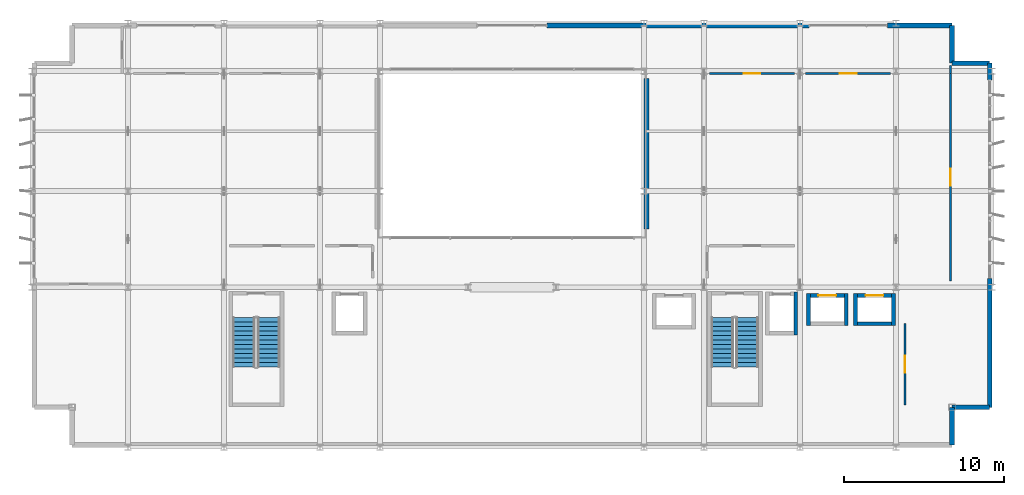
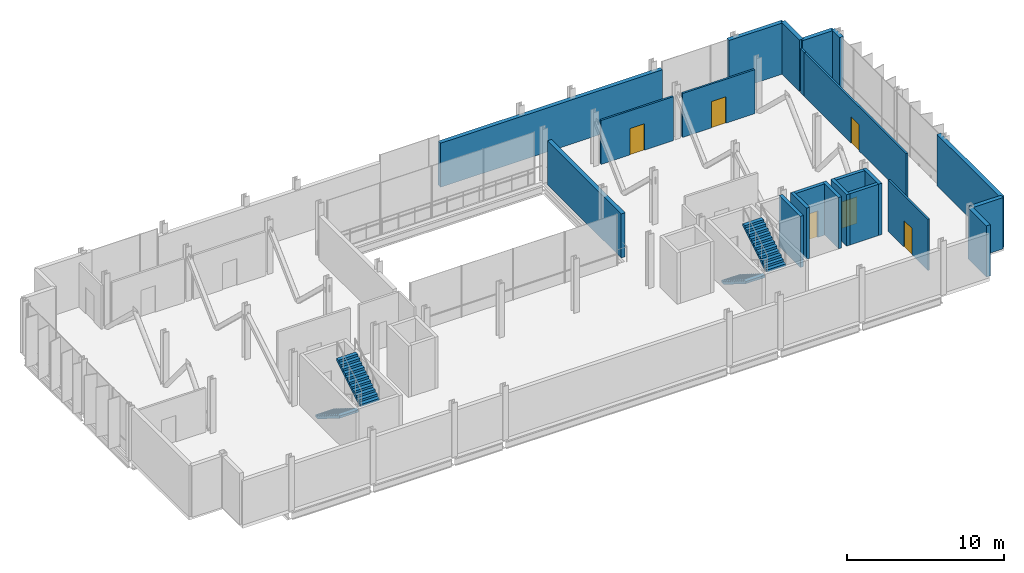
# One storey, part 28 of 33: 22 walls, 6 doors, 4 stair flights, 6 openings, 2 elements without a shape of their own.
"""IFC4 building model written with IfcOpenShell, lengths in metres."""

from ifc_helpers import new_model, si_unit, direction, frame, frame_2d, origin, place, context, subcontext, project, spatial, polyline, rectangle, outline, extrude, material, layer, layer_set, type_object, element, fill, aggregate, save


model = new_model("IFC4")

# Units and contexts
model_context = context("Model", 3, precision=1e-05, world=origin(), true_north=direction((0.0, 1.0)))
body_context = subcontext(model_context, "Body", "Model", "MODEL_VIEW")
ifc_project = project(units=[si_unit("LENGTHUNIT", "METRE"), si_unit("AREAUNIT", "SQUARE_METRE"), si_unit("VOLUMEUNIT", "CUBIC_METRE"), si_unit("PLANEANGLEUNIT", "RADIAN"), si_unit("MASSUNIT", "GRAM", prefix="KILO")], contexts=[model_context])

# Site, building, storey
site_placement = place(None, origin())
site = spatial("IfcSite", under=ifc_project, at=site_placement, CompositionType="ELEMENT")
building_placement = place(site_placement, origin())
building = spatial("IfcBuilding", under=site, at=building_placement, Name="Brevholm Reach", CompositionType="ELEMENT")
storey_placement = place(building_placement, frame((0.0, 0.0, 179.0)))
storey = spatial("IfcBuildingStorey", under=building, at=storey_placement, Name="L54", CompositionType="ELEMENT", Elevation=179.0)

# Walls
ifc_material_1 = material(Name="Concrete C45/55", Category="concrete")
ifc_layer_1 = layer(ifc_material_1, 0.239990234375)
ifc_layer_set_1 = layer_set([ifc_layer_1], Name="Concrete C45/55")
wall_type_1 = type_object("IfcWallType", Name="WAL-COR-240", PredefinedType="SHEAR", material=ifc_layer_set_1)
wall_1_placement = place(storey_placement, frame((47.72998046875, 7.0, 0.0), z_axis=(0.0, 0.0, 1.0), x_axis=(0.0, 1.0, 0.0)))
element("IfcWall", 1, at=wall_1_placement, inside=storey, type_object=wall_type_1, Name="L54 Lift FFL-2 Shaft Wall E", PredefinedType="SHEAR", context=body_context, shape_type="SweptSolid", body=[
    extrude(rectangle(XDim=2.699951171875, YDim=0.239990234375, at=frame_2d((1.35009765625, 0.0))), origin(), (0.0, 0.0, 1.0), 3.989990234375),
])
for number, where, z_axis, x_axis, name in (
    (2, (48.52001953125, 7.60009765625, 0.0), (0.0, 0.0, 1.0), (0.0, 1.0, 0.0), "L54 Lift PL-H1 Shaft Wall W"),
    (3, (50.8798828125, 7.60009765625, 0.0), (0.0, 0.0, 1.0), (0.0, 1.0, 0.0), "L54 Lift PL-H1 Shaft Wall E"),
):
    element("IfcWall", number, at=place(storey_placement, frame(where, z_axis=z_axis, x_axis=x_axis)), inside=storey, type_object=wall_type_1, Name=name, PredefinedType="SHEAR", context=body_context, shape_type="SweptSolid", body=[
        extrude(rectangle(XDim=2.0, YDim=0.239990234375, at=frame_2d((1.0, 0.0))), origin(), (0.0, 0.0, 1.0), 3.989990234375),
    ])

# Wall, opening, door
wall_2_placement = place(storey_placement, frame((48.639892578125, 9.47998046875, 0.0), z_axis=(0.0, 0.0, 1.0), x_axis=(1.0, 0.0, 0.0)))
wall_2 = element("IfcWall", 4, at=wall_2_placement, inside=storey, type_object=wall_type_1, Name="L54 Lift PL-H1 Shaft Wall N", PredefinedType="SHEAR", context=body_context, shape_type="SweptSolid", body=[
    extrude(rectangle(XDim=2.1201171875, YDim=0.239990234375, at=frame_2d((1.06005859375, 0.0))), origin(), (0.0, 0.0, 1.0), 3.989990234375),
])
opening_1_placement = place(wall_2_placement, frame((0.510009765625, 0.0, 0.0)))
opening_1 = element("IfcOpeningElement", 5, at=opening_1_placement, cuts=wall_2, Name="Opening LD-PL-H1", PredefinedType="OPENING", context=body_context, shape_type="SweptSolid", body=[
    extrude(rectangle(XDim=1.10009765625, YDim=2.06005859375, at=frame_2d((0.550048828125, 1.030029296875))), frame((0.0, 0.1298828125, 0.0), z_axis=(0.0, -1.0, 0.0), x_axis=(1.0, 0.0, 0.0)), (0.0, 0.0, 1.0), 0.260009765625),
])
ifc_material_2 = material(Name="Brushed Stainless Steel Fire-Rated Sliding Lift Door", Category="steel")
door_type_1 = type_object("IfcDoorType", Name="DOR-LFT-1100", OperationType="NOTDEFINED", PredefinedType="DOOR", material=ifc_material_2)
door_1_placement = place(opening_1_placement, origin())
door_1 = element("IfcDoor", 6, at=door_1_placement, inside=storey, type_object=door_type_1, Name="L54 Lift PL-H1 Sliding Landing Door", OperationType="SLIDING_TO_LEFT", OverallHeight=2.06005859375, OverallWidth=1.10009765625, PredefinedType="DOOR", context=body_context, shape_type="SweptSolid", body=[
    extrude(rectangle(XDim=1.10009765625, YDim=2.06005859375, at=frame_2d((0.550048828125, 1.030029296875))), frame((0.0, 0.02490234375, 0.0), z_axis=(0.0, -1.0, 0.0), x_axis=(1.0, 0.0, 0.0)), (0.0, 0.0, 1.0), 0.050048828125),
])
fill(opening_1, door_1)

# Walls
for number, where, z_axis, x_axis, name in (
    (7, (51.469970703125, 7.60009765625, 0.0), (0.0, 0.0, 1.0), (0.0, 1.0, 0.0), "L54 Lift PL-H2 Shaft Wall W"),
    (8, (53.830078125, 7.60009765625, 0.0), (0.0, 0.0, 1.0), (0.0, 1.0, 0.0), "L54 Lift PL-H2 Shaft Wall E"),
):
    element("IfcWall", number, at=place(storey_placement, frame(where, z_axis=z_axis, x_axis=x_axis)), inside=storey, type_object=wall_type_1, Name=name, PredefinedType="SHEAR", context=body_context, shape_type="SweptSolid", body=[
        extrude(rectangle(XDim=2.0, YDim=0.239990234375, at=frame_2d((1.0, 0.0))), origin(), (0.0, 0.0, 1.0), 3.989990234375),
    ])
wall_3_placement = place(storey_placement, frame((51.590087890625, 7.719970703125, 0.0), z_axis=(0.0, 0.0, 1.0), x_axis=(1.0, 0.0, 0.0)))
element("IfcWall", 9, at=wall_3_placement, inside=storey, type_object=wall_type_1, Name="L54 Lift PL-H2 Shaft Wall S", PredefinedType="SHEAR", context=body_context, shape_type="SweptSolid", body=[
    extrude(rectangle(XDim=2.119873046875, YDim=0.239990234375, at=frame_2d((1.06005859375, 0.0))), origin(), (0.0, 0.0, 1.0), 3.989990234375),
])

# Wall, opening, door
wall_4_placement = place(storey_placement, frame((51.590087890625, 9.47998046875, 0.0), z_axis=(0.0, 0.0, 1.0), x_axis=(1.0, 0.0, 0.0)))
wall_4 = element("IfcWall", 10, at=wall_4_placement, inside=storey, type_object=wall_type_1, Name="L54 Lift PL-H2 Shaft Wall N", PredefinedType="SHEAR", context=body_context, shape_type="SweptSolid", body=[
    extrude(rectangle(XDim=2.119873046875, YDim=0.239990234375, at=frame_2d((1.06005859375, 0.0))), origin(), (0.0, 0.0, 1.0), 3.989990234375),
])
opening_2_placement = place(wall_4_placement, frame((0.510009765625, 0.0, 0.0)))
opening_2 = element("IfcOpeningElement", 11, at=opening_2_placement, cuts=wall_4, Name="Opening LD-PL-H2", PredefinedType="OPENING", context=body_context, shape_type="SweptSolid", body=[
    extrude(rectangle(XDim=1.10009765625, YDim=2.06005859375, at=frame_2d((0.550048828125, 1.030029296875))), frame((0.0, 0.1298828125, 0.0), z_axis=(0.0, -1.0, 0.0), x_axis=(1.0, 0.0, 0.0)), (0.0, 0.0, 1.0), 0.260009765625),
])
door_2_placement = place(opening_2_placement, origin())
door_2 = element("IfcDoor", 12, at=door_2_placement, inside=storey, type_object=door_type_1, Name="L54 Lift PL-H2 Sliding Landing Door", OperationType="SLIDING_TO_RIGHT", OverallHeight=2.06005859375, OverallWidth=1.10009765625, PredefinedType="DOOR", context=body_context, shape_type="SweptSolid", body=[
    extrude(rectangle(XDim=1.10009765625, YDim=2.06005859375, at=frame_2d((0.550048828125, 1.030029296875))), frame((0.0, 0.02490234375, 0.0), z_axis=(0.0, -1.0, 0.0), x_axis=(1.0, 0.0, 0.0)), (0.0, 0.0, 1.0), 0.050048828125),
])
fill(opening_2, door_2)

# Walls
ifc_material_3 = material(Name="Concrete C40/50", Category="concrete")
ifc_layer_2 = layer(ifc_material_3, 0.300048828125)
ifc_layer_set_2 = layer_set([ifc_layer_2], Name="Concrete C40/50")
wall_type_2 = type_object("IfcWallType", Name="WAL-EXT-300", PredefinedType="STANDARD", material=ifc_layer_set_2)
for number, where, z_axis, x_axis, name in (
    (13, (57.5, 0.14990234375, 0.0), (0.0, 0.0, 1.0), (0.0, 1.0, 0.0), "L54 Facade Wall WAL-L54-CSE1"),
    (14, (57.5, 2.5, 0.0), (0.0, 0.0, 1.0), (1.0, 0.0, 0.0), "L54 Facade Wall WAL-L54-CSE2"),
    (15, (59.85009765625, 24.0, 0.0), (0.0, 0.0, 1.0), (-1.0, 0.0, 0.0), "L54 Facade Wall WAL-L54-CNE1"),
    (16, (57.5, 24.0, 0.0), (0.0, 0.0, 1.0), (0.0, 1.0, 0.0), "L54 Facade Wall WAL-L54-CNE2"),
):
    element("IfcWall", number, at=place(storey_placement, frame(where, z_axis=z_axis, x_axis=x_axis)), inside=storey, type_object=wall_type_2, Name=name, PredefinedType="STANDARD", context=body_context, shape_type="SweptSolid", body=[
        extrude(rectangle(XDim=2.35009765625, YDim=0.300048828125, at=frame_2d((1.175048828125, 0.0))), origin(), (0.0, 0.0, 1.0), 3.989990234375),
    ])
wall_5_placement = place(storey_placement, frame((59.85009765625, 2.5, 0.0), z_axis=(0.0, 0.0, 1.0), x_axis=(0.0, 1.0, 0.0)))
element("IfcWall", 17, at=wall_5_placement, inside=storey, type_object=wall_type_2, Name="L54 Facade Wall WAL-L54-E-S", PredefinedType="STANDARD", context=body_context, shape_type="SweptSolid", body=[
    extrude(rectangle(XDim=8.050048828125, YDim=0.300048828125, at=frame_2d((4.02490234375, 0.0))), origin(), (0.0, 0.0, 1.0), 3.989990234375),
])
wall_6_placement = place(storey_placement, frame((59.85009765625, 22.949951171875, 0.0), z_axis=(0.0, 0.0, 1.0), x_axis=(0.0, 1.0, 0.0)))
element("IfcWall", 18, at=wall_6_placement, inside=storey, type_object=wall_type_2, Name="L54 Facade Wall WAL-L54-E-N", PredefinedType="STANDARD", context=body_context, shape_type="SweptSolid", body=[
    extrude(rectangle(XDim=1.050048828125, YDim=0.300048828125, at=frame_2d((0.52490234375, 0.0))), origin(), (0.0, 0.0, 1.0), 3.989990234375),
])
wall_7_placement = place(storey_placement, frame((53.449951171875, 26.35009765625, 0.0), z_axis=(0.0, 0.0, 1.0), x_axis=(1.0, 0.0, 0.0)))
element("IfcWall", 19, at=wall_7_placement, inside=storey, type_object=wall_type_2, Name="L54 Facade Wall WAL-L54-NP-E0", PredefinedType="STANDARD", context=body_context, shape_type="SweptSolid", body=[
    extrude(rectangle(XDim=4.050048828125, YDim=0.300048828125, at=frame_2d((2.02490234375, 0.0))), origin(), (0.0, 0.0, 1.0), 3.989990234375),
])
wall_8_placement = place(storey_placement, frame((32.199951171875, 26.35009765625, 0.0), z_axis=(0.0, 0.0, 1.0), x_axis=(1.0, 0.0, 0.0)))
element("IfcWall", 20, at=wall_8_placement, inside=storey, type_object=wall_type_2, Name="L54 Facade Wall WAL-L54-NP-ER", PredefinedType="STANDARD", context=body_context, shape_type="SweptSolid", body=[
    extrude(rectangle(XDim=16.35009765625, YDim=0.300048828125, at=frame_2d((8.175048828125, 0.0))), origin(), (0.0, 0.0, 1.0), 3.431884765625),
])
wall_9_placement = place(storey_placement, frame((38.39990234375, 13.64990234375, 0.0), z_axis=(0.0, 0.0, 1.0), x_axis=(0.0, 1.0, 0.0)))
element("IfcWall", 21, at=wall_9_placement, inside=storey, type_object=wall_type_2, Name="L54 Facade Wall WAL-L54-AT-E", PredefinedType="STANDARD", context=body_context, shape_type="SweptSolid", body=[
    extrude(rectangle(XDim=9.400146484375, YDim=0.300048828125, at=frame_2d((4.7001953125, 0.0))), origin(), (0.0, 0.0, 1.0), 3.425537109375),
])

# Wall, opening, door
ifc_material_4 = material(Name="Twin-Stud Acoustic Fire-Rated Gypsum Partition 140 mm", Category="gypsum")
ifc_layer_3 = layer(ifc_material_4, 0.139892578125)
ifc_layer_set_3 = layer_set([ifc_layer_3], Name="Twin-Stud Acoustic Fire-Rated Gypsum Partition 140 mm")
wall_type_3 = type_object("IfcWallType", Name="WAL-PRT-140", PredefinedType="PARTITIONING", material=ifc_layer_set_3)
wall_10_placement = place(storey_placement, frame((42.338623046875, 23.35009765625, 0.0), z_axis=(0.0, 0.0, 1.0), x_axis=(1.0, 0.0, 0.0)))
wall_10 = element("IfcWall", 22, at=wall_10_placement, inside=storey, type_object=wall_type_3, Name="L54 Internal Partition 009", PredefinedType="PARTITIONING", context=body_context, shape_type="SweptSolid", body=[
    extrude(rectangle(XDim=5.32275390625, YDim=0.139892578125, at=frame_2d((2.661376953125, 0.0))), origin(), (0.0, 0.0, 1.0), 3.425537109375),
])
opening_3_placement = place(wall_10_placement, frame((2.13623046875, 0.0, 0.0)))
opening_3 = element("IfcOpeningElement", 23, at=opening_3_placement, cuts=wall_10, Name="Opening FD-01", PredefinedType="OPENING", context=body_context, shape_type="SweptSolid", body=[
    extrude(rectangle(XDim=1.050048828125, YDim=2.06005859375, at=frame_2d((0.52490234375, 1.030029296875))), frame((0.0, 0.079833984375, 0.0), z_axis=(0.0, -1.0, 0.0), x_axis=(1.0, 0.0, 0.0)), (0.0, 0.0, 1.0), 0.159912109375),
])
ifc_material_5 = material(Name="Hardwood-Lipped Steel-Core Fire and Smoke Door", Category="steel")
door_type_2 = type_object("IfcDoorType", Name="DOR-INT-FD60S", OperationType="NOTDEFINED", PredefinedType="DOOR", material=ifc_material_5)
door_3_placement = place(opening_3_placement, origin())
door_3 = element("IfcDoor", 24, at=door_3_placement, inside=storey, type_object=door_type_2, Name="L54 Internal Door 009", OperationType="SINGLE_SWING_LEFT", OverallHeight=2.06005859375, OverallWidth=1.050048828125, PredefinedType="DOOR", context=body_context, shape_type="SweptSolid", body=[
    extrude(rectangle(XDim=1.050048828125, YDim=2.06005859375, at=frame_2d((0.52490234375, 1.030029296875))), frame((0.0, 0.02490234375, 0.0), z_axis=(0.0, -1.0, 0.0), x_axis=(1.0, 0.0, 0.0)), (0.0, 0.0, 1.0), 0.050048828125),
])
fill(opening_3, door_3)

wall_11_placement = place(storey_placement, frame((48.338623046875, 23.35009765625, 0.0), z_axis=(0.0, 0.0, 1.0), x_axis=(1.0, 0.0, 0.0)))
wall_11 = element("IfcWall", 25, at=wall_11_placement, inside=storey, type_object=wall_type_3, Name="L54 Internal Partition 010", PredefinedType="PARTITIONING", context=body_context, shape_type="SweptSolid", body=[
    extrude(rectangle(XDim=5.32275390625, YDim=0.139892578125, at=frame_2d((2.661376953125, 0.0))), origin(), (0.0, 0.0, 1.0), 3.425537109375),
])
opening_4_placement = place(wall_11_placement, frame((2.13623046875, 0.0, 0.0)))
opening_4 = element("IfcOpeningElement", 26, at=opening_4_placement, cuts=wall_11, Name="Opening FD-01", PredefinedType="OPENING", context=body_context, shape_type="SweptSolid", body=[
    extrude(rectangle(XDim=1.050048828125, YDim=2.06005859375, at=frame_2d((0.52490234375, 1.030029296875))), frame((0.0, 0.079833984375, 0.0), z_axis=(0.0, -1.0, 0.0), x_axis=(1.0, 0.0, 0.0)), (0.0, 0.0, 1.0), 0.159912109375),
])
door_4_placement = place(opening_4_placement, origin())
door_4 = element("IfcDoor", 27, at=door_4_placement, inside=storey, type_object=door_type_2, Name="L54 Internal Door 010", OperationType="SINGLE_SWING_RIGHT", OverallHeight=2.06005859375, OverallWidth=1.050048828125, PredefinedType="DOOR", context=body_context, shape_type="SweptSolid", body=[
    extrude(rectangle(XDim=1.050048828125, YDim=2.06005859375, at=frame_2d((0.52490234375, 1.030029296875))), frame((0.0, 0.02490234375, 0.0), z_axis=(0.0, -1.0, 0.0), x_axis=(1.0, 0.0, 0.0)), (0.0, 0.0, 1.0), 0.050048828125),
])
fill(opening_4, door_4)

# Wall
wall_12_placement = place(storey_placement, frame((57.39990234375, 23.35009765625, 0.0), z_axis=(0.0, 0.0, 1.0), x_axis=(0.0, 1.0, 0.0)))
element("IfcWall", 28, at=wall_12_placement, inside=storey, type_object=wall_type_3, Name="L54 Internal Partition 011", PredefinedType="PARTITIONING", context=body_context, shape_type="SweptSolid", body=[
    extrude(rectangle(XDim=0.500244140625, YDim=0.139892578125, at=frame_2d((0.25, 0.0))), origin(), (0.0, 0.0, 1.0), 3.425537109375),
])

# Wall, opening, door
wall_13_placement = place(storey_placement, frame((57.39990234375, 10.388671875, 0.0), z_axis=(0.0, 0.0, 1.0), x_axis=(0.0, 1.0, 0.0)))
wall_13 = element("IfcWall", 29, at=wall_13_placement, inside=storey, type_object=wall_type_3, Name="L54 Internal Partition 012", PredefinedType="PARTITIONING", context=body_context, shape_type="SweptSolid", body=[
    extrude(rectangle(XDim=12.957275390625, YDim=0.139892578125, at=frame_2d((6.478515625, 0.0))), origin(), (0.0, 0.0, 1.0), 3.425537109375),
])
opening_5_placement = place(wall_13_placement, frame((5.95361328125, 0.0, 0.0)))
opening_5 = element("IfcOpeningElement", 30, at=opening_5_placement, cuts=wall_13, Name="Opening FD-01", PredefinedType="OPENING", context=body_context, shape_type="SweptSolid", body=[
    extrude(rectangle(XDim=1.050048828125, YDim=2.06005859375, at=frame_2d((0.52490234375, 1.030029296875))), frame((0.0, 0.079833984375, 0.0), z_axis=(0.0, -1.0, 0.0), x_axis=(1.0, 0.0, 0.0)), (0.0, 0.0, 1.0), 0.159912109375),
])
door_5_placement = place(opening_5_placement, origin())
door_5 = element("IfcDoor", 31, at=door_5_placement, inside=storey, type_object=door_type_2, Name="L54 Internal Door 011", OperationType="SINGLE_SWING_LEFT", OverallHeight=2.06005859375, OverallWidth=1.050048828125, PredefinedType="DOOR", context=body_context, shape_type="SweptSolid", body=[
    extrude(rectangle(XDim=1.050048828125, YDim=2.06005859375, at=frame_2d((0.52490234375, 1.030029296875))), frame((0.0, 0.02490234375, 0.0), z_axis=(0.0, -1.0, 0.0), x_axis=(1.0, 0.0, 0.0)), (0.0, 0.0, 1.0), 0.050048828125),
])
fill(opening_5, door_5)

wall_14_placement = place(storey_placement, frame((54.550048828125, 2.64990234375, 0.0), z_axis=(0.0, 0.0, 1.0), x_axis=(0.0, 1.0, 0.0)))
wall_14 = element("IfcWall", 32, at=wall_14_placement, inside=storey, type_object=wall_type_3, Name="L54 Internal Partition 013", PredefinedType="PARTITIONING", context=body_context, shape_type="SweptSolid", body=[
    extrude(rectangle(XDim=5.077392578125, YDim=0.139892578125, at=frame_2d((2.53857421875, 0.0))), origin(), (0.0, 0.0, 1.0), 3.989990234375),
])
opening_6_placement = place(wall_14_placement, frame((2.013671875, 0.0, 0.0)))
opening_6 = element("IfcOpeningElement", 33, at=opening_6_placement, cuts=wall_14, Name="Opening FD-01", PredefinedType="OPENING", context=body_context, shape_type="SweptSolid", body=[
    extrude(rectangle(XDim=1.050048828125, YDim=2.06005859375, at=frame_2d((0.52490234375, 1.030029296875))), frame((0.0, 0.079833984375, 0.0), z_axis=(0.0, -1.0, 0.0), x_axis=(1.0, 0.0, 0.0)), (0.0, 0.0, 1.0), 0.159912109375),
])
door_6_placement = place(opening_6_placement, origin())
door_6 = element("IfcDoor", 34, at=door_6_placement, inside=storey, type_object=door_type_2, Name="L54 Internal Door 012", OperationType="SINGLE_SWING_RIGHT", OverallHeight=2.06005859375, OverallWidth=1.050048828125, PredefinedType="DOOR", context=body_context, shape_type="SweptSolid", body=[
    extrude(rectangle(XDim=1.050048828125, YDim=2.06005859375, at=frame_2d((0.52490234375, 1.030029296875))), frame((0.0, 0.02490234375, 0.0), z_axis=(0.0, -1.0, 0.0), x_axis=(1.0, 0.0, 0.0)), (0.0, 0.0, 1.0), 0.050048828125),
])
fill(opening_6, door_6)

# Stair, stair flights
ifc_material_6 = material(Name="Precast Concrete C40/50", Category="concrete")
stair_type = type_object("IfcStairType", Name="STR-ESC-1400", PredefinedType="DOUBLE_RETURN_STAIR", material=ifc_material_6)
stair_1_placement = place(storey_placement, origin())
stair_1 = element("IfcStair", 35, at=stair_1_placement, inside=storey, type_object=stair_type, Name="L54 ST-1", PredefinedType="DOUBLE_RETURN_STAIR")
ifc_material_7 = material(Name="Precast Concrete C40/50", Category="concrete")
ifc_layer_4 = layer(ifc_material_7, 0.18505859375)
ifc_layer_set_4 = layer_set([ifc_layer_4], Name="Precast Concrete C40/50")
stair_flight_type = type_object("IfcStairFlightType", Name="STF-PRC-185", PredefinedType="STRAIGHT", material=ifc_layer_set_4)
stair_flight_1_placement = place(storey_placement, frame((13.25, 8.10009765625, 0.0), z_axis=(0.0, 0.0, 1.0), x_axis=(0.0, -1.0, 0.0)))
stair_flight_1 = element("IfcStairFlight", 36, at=stair_flight_1_placement, type_object=stair_flight_type, Name="ST-1 flight 1", NumberOfRisers=12, NumberOfTreads=11, PredefinedType="STRAIGHT", RiserHeight=0.175, TreadLength=0.28, context=body_context, shape_type="SweptSolid", body=[
    extrude(outline(polyline([(0.0, 0.0), (0.0, 0.175048828125), (0.280029296875, 0.175048828125), (0.280029296875, 0.35009765625), (0.56005859375, 0.35009765625), (0.56005859375, 0.52490234375), (0.840087890625, 0.52490234375), (0.840087890625, 0.699951171875), (1.1201171875, 0.699951171875), (1.1201171875, 0.875), (1.39990234375, 0.875), (1.39990234375, 1.050048828125), (1.679931640625, 1.050048828125), (1.679931640625, 1.22509765625), (1.9599609375, 1.22509765625), (1.9599609375, 1.39990234375), (2.239990234375, 1.39990234375), (2.239990234375, 1.574951171875), (2.52001953125, 1.574951171875), (2.52001953125, 1.75), (2.800048828125, 1.75), (2.800048828125, 1.925048828125), (3.080078125, 1.925048828125), (3.080078125, 2.10009765625), (3.080078125, 1.748291015625), (0.28271484375, 0.0), (0.0, 0.0)])), frame((0.0, 0.699951171875, 0.0), z_axis=(0.0, -1.0, 0.0), x_axis=(1.0, 0.0, 0.0)), (0.0, 0.0, 1.0), 1.39990234375),
])
stair_flight_2_placement = place(storey_placement, frame((14.800048828125, 5.02001953125, 2.10009765625), z_axis=(0.0, 0.0, 1.0), x_axis=(0.0, 1.0, 0.0)))
stair_flight_2 = element("IfcStairFlight", 37, at=stair_flight_2_placement, type_object=stair_flight_type, Name="ST-1 flight 2", NumberOfRisers=12, NumberOfTreads=11, PredefinedType="STRAIGHT", RiserHeight=0.175, TreadLength=0.28, context=body_context, shape_type="SweptSolid", body=[
    extrude(outline(polyline([(0.0, 0.0), (0.0, 0.175048828125), (0.280029296875, 0.175048828125), (0.280029296875, 0.35009765625), (0.56005859375, 0.35009765625), (0.56005859375, 0.52490234375), (0.840087890625, 0.52490234375), (0.840087890625, 0.699951171875), (1.1201171875, 0.699951171875), (1.1201171875, 0.875), (1.39990234375, 0.875), (1.39990234375, 1.050048828125), (1.679931640625, 1.050048828125), (1.679931640625, 1.22509765625), (1.9599609375, 1.22509765625), (1.9599609375, 1.39990234375), (2.239990234375, 1.39990234375), (2.239990234375, 1.574951171875), (2.52001953125, 1.574951171875), (2.52001953125, 1.75), (2.800048828125, 1.75), (2.800048828125, 1.925048828125), (3.080078125, 1.925048828125), (3.080078125, 2.10009765625), (3.080078125, 1.748291015625), (0.28271484375, 0.0), (0.0, 0.0)])), frame((0.0, 0.699951171875, 0.0), z_axis=(0.0, -1.0, 0.0), x_axis=(1.0, 0.0, 0.0)), (0.0, 0.0, 1.0), 1.39990234375),
])
aggregate(stair_1, [stair_flight_1, stair_flight_2])

stair_2_placement = place(storey_placement, origin())
stair_2 = element("IfcStair", 38, at=stair_2_placement, inside=storey, type_object=stair_type, Name="L54 ST-2", PredefinedType="DOUBLE_RETURN_STAIR")
stair_flight_3_placement = place(storey_placement, frame((43.14990234375, 8.10009765625, 0.0), z_axis=(0.0, 0.0, 1.0), x_axis=(0.0, -1.0, 0.0)))
stair_flight_3 = element("IfcStairFlight", 39, at=stair_flight_3_placement, type_object=stair_flight_type, Name="ST-2 flight 1", NumberOfRisers=12, NumberOfTreads=11, PredefinedType="STRAIGHT", RiserHeight=0.175, TreadLength=0.28, context=body_context, shape_type="SweptSolid", body=[
    extrude(outline(polyline([(0.0, 0.0), (0.0, 0.175048828125), (0.280029296875, 0.175048828125), (0.280029296875, 0.35009765625), (0.56005859375, 0.35009765625), (0.56005859375, 0.52490234375), (0.840087890625, 0.52490234375), (0.840087890625, 0.699951171875), (1.1201171875, 0.699951171875), (1.1201171875, 0.875), (1.39990234375, 0.875), (1.39990234375, 1.050048828125), (1.679931640625, 1.050048828125), (1.679931640625, 1.22509765625), (1.9599609375, 1.22509765625), (1.9599609375, 1.39990234375), (2.239990234375, 1.39990234375), (2.239990234375, 1.574951171875), (2.52001953125, 1.574951171875), (2.52001953125, 1.75), (2.800048828125, 1.75), (2.800048828125, 1.925048828125), (3.080078125, 1.925048828125), (3.080078125, 2.10009765625), (3.080078125, 1.748291015625), (0.28271484375, 0.0), (0.0, 0.0)])), frame((0.0, 0.699951171875, 0.0), z_axis=(0.0, -1.0, 0.0), x_axis=(1.0, 0.0, 0.0)), (0.0, 0.0, 1.0), 1.39990234375),
])
stair_flight_4_placement = place(storey_placement, frame((44.699951171875, 5.02001953125, 2.10009765625), z_axis=(0.0, 0.0, 1.0), x_axis=(0.0, 1.0, 0.0)))
stair_flight_4 = element("IfcStairFlight", 40, at=stair_flight_4_placement, type_object=stair_flight_type, Name="ST-2 flight 2", NumberOfRisers=12, NumberOfTreads=11, PredefinedType="STRAIGHT", RiserHeight=0.175, TreadLength=0.28, context=body_context, shape_type="SweptSolid", body=[
    extrude(outline(polyline([(0.0, 0.0), (0.0, 0.175048828125), (0.280029296875, 0.175048828125), (0.280029296875, 0.35009765625), (0.56005859375, 0.35009765625), (0.56005859375, 0.52490234375), (0.840087890625, 0.52490234375), (0.840087890625, 0.699951171875), (1.1201171875, 0.699951171875), (1.1201171875, 0.875), (1.39990234375, 0.875), (1.39990234375, 1.050048828125), (1.679931640625, 1.050048828125), (1.679931640625, 1.22509765625), (1.9599609375, 1.22509765625), (1.9599609375, 1.39990234375), (2.239990234375, 1.39990234375), (2.239990234375, 1.574951171875), (2.52001953125, 1.574951171875), (2.52001953125, 1.75), (2.800048828125, 1.75), (2.800048828125, 1.925048828125), (3.080078125, 1.925048828125), (3.080078125, 2.10009765625), (3.080078125, 1.748291015625), (0.28271484375, 0.0), (0.0, 0.0)])), frame((0.0, 0.699951171875, 0.0), z_axis=(0.0, -1.0, 0.0), x_axis=(1.0, 0.0, 0.0)), (0.0, 0.0, 1.0), 1.39990234375),
])
aggregate(stair_2, [stair_flight_3, stair_flight_4])

save(model, "model.ifc")
